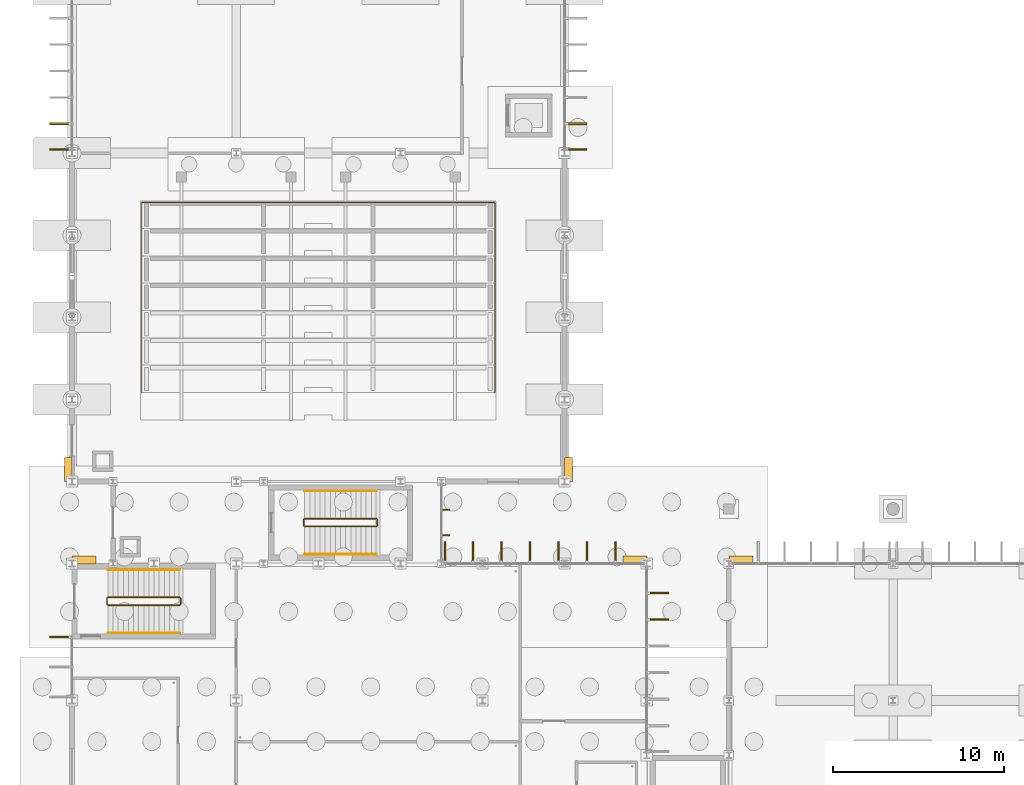
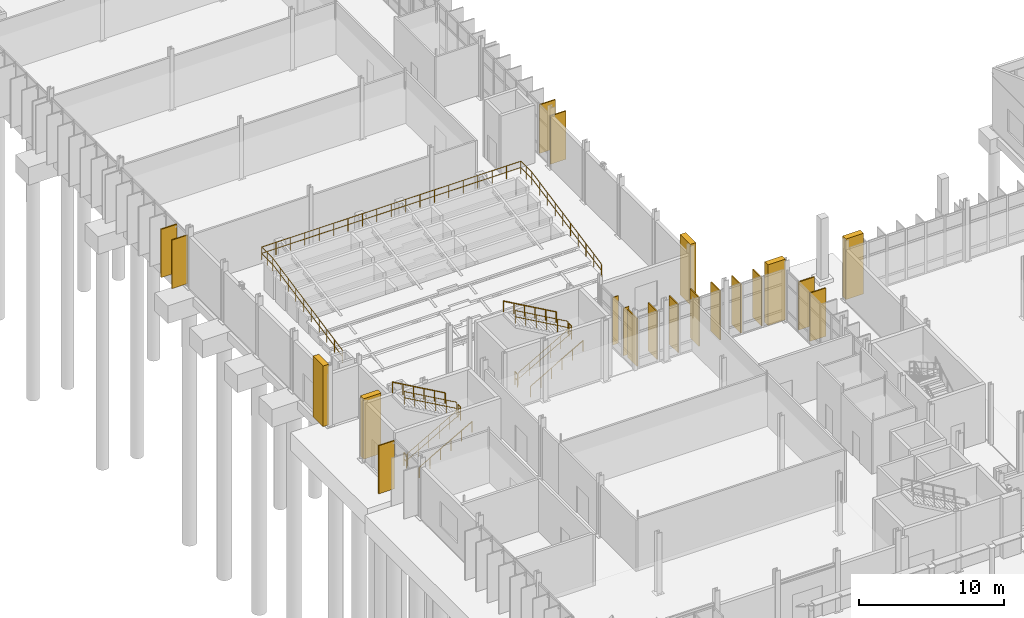
# One storey, part 104 of 111: 19 coverings, 13 railings, 2 shading devices.
"""IFC4 building model written with IfcOpenShell, lengths in metres."""

from ifc_helpers import new_model, si_unit, direction, frame, origin, origin_2d, place, context, subcontext, project, spatial, rectangle, circle, extrude, material, layer, layer_set, type_object, element, save


model = new_model("IFC4")

# Units and contexts
model_context = context("Model", 3, precision=1e-05, world=origin(), true_north=direction((0.0, 1.0)))
body_context = subcontext(model_context, "Body", "Model", "MODEL_VIEW")
ifc_project = project(units=[si_unit("LENGTHUNIT", "METRE"), si_unit("AREAUNIT", "SQUARE_METRE"), si_unit("VOLUMEUNIT", "CUBIC_METRE"), si_unit("PLANEANGLEUNIT", "RADIAN"), si_unit("MASSUNIT", "GRAM", prefix="KILO")], contexts=[model_context])

# Site, building, storey
site_placement = place(None, origin())
site = spatial("IfcSite", under=ifc_project, at=site_placement, CompositionType="ELEMENT")
building_placement = place(site_placement, origin())
building = spatial("IfcBuilding", under=site, at=building_placement, Name="Dunescarp Central Library", CompositionType="ELEMENT")
storey_placement = place(building_placement, origin())
storey = spatial("IfcBuildingStorey", under=building, at=storey_placement, Name="L00", CompositionType="ELEMENT", Elevation=0.0)

# Coverings
ifc_material_1 = material(Name="Glass-fibre reinforced concrete GRC", Category="concrete")
ifc_layer_1 = layer(ifc_material_1, 0.090087890625)
ifc_layer_set_1 = layer_set([ifc_layer_1], Name="Glass-fibre reinforced concrete GRC")
covering_type_1 = type_object("IfcCoveringType", Name="ARC-COV-FIN1250", PredefinedType="CLADDING", material=ifc_layer_set_1)
covering_1_placement = place(storey_placement, frame((21.81494140625, 37.4619140625, 0.1669921875), z_axis=(0.0, 0.0, 1.0), x_axis=(0.0, 1.0, 0.0)))
element("IfcCovering", 1, at=covering_1_placement, inside=storey, type_object=covering_type_1, Name="L00 parametric vertical facade fin FIN-L00-0007", PredefinedType="CLADDING", context=body_context, shape_type="SweptSolid", body=[
    extrude(rectangle(XDim=1.25, YDim=0.090087890625, at=origin_2d()), origin(), (0.0, 0.0, 1.0), 4.05810546875),
])
covering_2_placement = place(storey_placement, frame((23.43896484375, 37.4619140625, 0.179443359375), z_axis=(0.0, 0.0, 1.0), x_axis=(0.0, 1.0, 0.0)))
element("IfcCovering", 2, at=covering_2_placement, inside=storey, type_object=covering_type_1, Name="L00 parametric vertical facade fin FIN-L00-0008", PredefinedType="CLADDING", context=body_context, shape_type="SweptSolid", body=[
    extrude(rectangle(XDim=1.25, YDim=0.090087890625, at=origin_2d()), origin(), (0.0, 0.0, 1.0), 4.044921875),
])
covering_3_placement = place(storey_placement, frame((25.10400390625, 37.4619140625, 0.16357421875), z_axis=(0.0, 0.0, 1.0), x_axis=(0.0, 1.0, 0.0)))
element("IfcCovering", 3, at=covering_3_placement, inside=storey, type_object=covering_type_1, Name="L00 parametric vertical facade fin FIN-L00-0009", PredefinedType="CLADDING", context=body_context, shape_type="SweptSolid", body=[
    extrude(rectangle(XDim=1.25, YDim=0.090087890625, at=origin_2d()), origin(), (0.0, 0.0, 1.0), 4.06103515625),
])
covering_4_placement = place(storey_placement, frame((26.76806640625, 37.4619140625, 0.123046875), z_axis=(0.0, 0.0, 1.0), x_axis=(0.0, 1.0, 0.0)))
element("IfcCovering", 4, at=covering_4_placement, inside=storey, type_object=covering_type_1, Name="L00 parametric vertical facade fin FIN-L00-0010", PredefinedType="CLADDING", context=body_context, shape_type="SweptSolid", body=[
    extrude(rectangle(XDim=1.25, YDim=0.090087890625, at=origin_2d()), origin(), (0.0, 0.0, 1.0), 4.10205078125),
])
covering_5_placement = place(storey_placement, frame((28.431884765625, 37.4619140625, 0.080078125), z_axis=(0.0, 0.0, 1.0), x_axis=(0.0, 1.0, 0.0)))
element("IfcCovering", 5, at=covering_5_placement, inside=storey, type_object=covering_type_1, Name="L00 parametric vertical facade fin FIN-L00-0011", PredefinedType="CLADDING", context=body_context, shape_type="SweptSolid", body=[
    extrude(rectangle(XDim=1.25, YDim=0.090087890625, at=origin_2d()), origin(), (0.0, 0.0, 1.0), 4.134033203125),
])
covering_6_placement = place(storey_placement, frame((30.095947265625, 37.4619140625, 0.080078125), z_axis=(0.0, 0.0, 1.0), x_axis=(0.0, 1.0, 0.0)))
element("IfcCovering", 6, at=covering_6_placement, inside=storey, type_object=covering_type_1, Name="L00 parametric vertical facade fin FIN-L00-0012", PredefinedType="CLADDING", context=body_context, shape_type="SweptSolid", body=[
    extrude(rectangle(XDim=1.25, YDim=0.090087890625, at=origin_2d()), origin(), (0.0, 0.0, 1.0), 4.083984375),
])
covering_7_placement = place(storey_placement, frame((31.760986328125, 37.4619140625, 0.08056640625), z_axis=(0.0, 0.0, 1.0), x_axis=(0.0, 1.0, 0.0)))
element("IfcCovering", 7, at=covering_7_placement, inside=storey, type_object=covering_type_1, Name="L00 parametric vertical facade fin FIN-L00-0013", PredefinedType="CLADDING", context=body_context, shape_type="SweptSolid", body=[
    extrude(rectangle(XDim=1.25, YDim=0.090087890625, at=origin_2d()), origin(), (0.0, 0.0, 1.0), 4.051025390625),
])
covering_8_placement = place(storey_placement, frame((-0.662109375, 32.510009765625, 0.16357421875), z_axis=(0.0, 0.0, 1.0), x_axis=(-1.0, 0.0, 0.0)))
element("IfcCovering", 8, at=covering_8_placement, inside=storey, type_object=covering_type_1, Name="L00 parametric vertical facade fin FIN-L00-0026", PredefinedType="CLADDING", context=body_context, shape_type="SweptSolid", body=[
    extrude(rectangle(XDim=1.25, YDim=0.090087890625, at=origin_2d()), origin(), (0.0, 0.0, 1.0), 4.06103515625),
])
covering_9_placement = place(storey_placement, frame((34.261962890625, 35.074951171875, 0.179443359375), z_axis=(0.0, 0.0, 1.0), x_axis=(1.0, 0.0, 0.0)))
element("IfcCovering", 9, at=covering_9_placement, inside=storey, type_object=covering_type_1, Name="L00 parametric vertical facade fin FIN-L00-0027", PredefinedType="CLADDING", context=body_context, shape_type="SweptSolid", body=[
    extrude(rectangle(XDim=1.25, YDim=0.090087890625, at=origin_2d()), origin(), (0.0, 0.0, 1.0), 4.044921875),
])
covering_10_placement = place(storey_placement, frame((34.261962890625, 33.52490234375, 0.16357421875), z_axis=(0.0, 0.0, 1.0), x_axis=(1.0, 0.0, 0.0)))
element("IfcCovering", 10, at=covering_10_placement, inside=storey, type_object=covering_type_1, Name="L00 parametric vertical facade fin FIN-L00-0028", PredefinedType="CLADDING", context=body_context, shape_type="SweptSolid", body=[
    extrude(rectangle(XDim=1.25, YDim=0.090087890625, at=origin_2d()), origin(), (0.0, 0.0, 1.0), 4.06103515625),
])
covering_11_placement = place(storey_placement, frame((-0.662109375, 61.014892578125, 0.16650390625), z_axis=(0.0, 0.0, 1.0), x_axis=(-1.0, 0.0, 0.0)))
element("IfcCovering", 11, at=covering_11_placement, inside=storey, type_object=covering_type_1, Name="L00 parametric vertical facade fin FIN-L00-0743", PredefinedType="CLADDING", context=body_context, shape_type="SweptSolid", body=[
    extrude(rectangle(XDim=1.25, YDim=0.090087890625, at=origin_2d()), origin(), (0.0, 0.0, 1.0), 4.074951171875),
])
covering_12_placement = place(storey_placement, frame((-0.662109375, 62.51708984375, 0.179931640625), z_axis=(0.0, 0.0, 1.0), x_axis=(-1.0, 0.0, 0.0)))
element("IfcCovering", 12, at=covering_12_placement, inside=storey, type_object=covering_type_1, Name="L00 parametric vertical facade fin FIN-L00-0744", PredefinedType="CLADDING", context=body_context, shape_type="SweptSolid", body=[
    extrude(rectangle(XDim=1.25, YDim=0.090087890625, at=origin_2d()), origin(), (0.0, 0.0, 1.0), 4.06201171875),
])
covering_13_placement = place(storey_placement, frame((29.4619140625, 62.51708984375, 0.08056640625), z_axis=(0.0, 0.0, 1.0), x_axis=(1.0, 0.0, 0.0)))
element("IfcCovering", 13, at=covering_13_placement, inside=storey, type_object=covering_type_1, Name="L00 parametric vertical facade fin FIN-L00-0755", PredefinedType="CLADDING", context=body_context, shape_type="SweptSolid", body=[
    extrude(rectangle(XDim=1.25, YDim=0.090087890625, at=origin_2d()), origin(), (0.0, 0.0, 1.0), 4.10107421875),
])
covering_14_placement = place(storey_placement, frame((29.4619140625, 61.014892578125, 0.080078125), z_axis=(0.0, 0.0, 1.0), x_axis=(1.0, 0.0, 0.0)))
element("IfcCovering", 14, at=covering_14_placement, inside=storey, type_object=covering_type_1, Name="L00 parametric vertical facade fin FIN-L00-0756", PredefinedType="CLADDING", context=body_context, shape_type="SweptSolid", body=[
    extrude(rectangle(XDim=1.25, YDim=0.090087890625, at=origin_2d()), origin(), (0.0, 0.0, 1.0), 4.068115234375),
])
ifc_layer_2 = layer(ifc_material_1, 0.449951171875)
ifc_layer_set_2 = layer_set([ifc_layer_2], Name="Glass-fibre reinforced concrete GRC")
covering_type_2 = type_object("IfcCoveringType", Name="ARC-COV-PORTAL", PredefinedType="CLADDING", material=ifc_layer_set_2)
covering_15_placement = place(storey_placement, frame((39.10009765625, 37.02001953125, 0.0), z_axis=(0.0, 0.0, 1.0), x_axis=(1.0, 0.0, 0.0)))
element("IfcCovering", 15, at=covering_15_placement, inside=storey, type_object=covering_type_2, Name="V2 sculpted GRC portal pier PRT-BAND-V2-002", PredefinedType="CLADDING", context=body_context, shape_type="SweptSolid", body=[
    extrude(rectangle(XDim=1.39990234375, YDim=0.449951171875, at=origin_2d()), origin(), (0.0, 0.0, 1.0), 5.10009765625),
])
for number, where, z_axis, x_axis, name in (
    (16, (-0.219970703125, 42.300048828125, 0.0), (0.0, 0.0, 1.0), (1.0, 0.0, 0.0), "V4 sculpted GRC portal pier PRT-BAND-V4-063"),
    (17, (29.02001953125, 42.300048828125, 0.0), (0.0, 0.0, 1.0), (1.0, 0.0, 0.0), "V4 sculpted GRC portal pier PRT-BAND-V4-064"),
):
    element("IfcCovering", number, at=place(storey_placement, frame(where, z_axis=z_axis, x_axis=x_axis)), inside=storey, type_object=covering_type_2, Name=name, PredefinedType="CLADDING", context=body_context, shape_type="SweptSolid", body=[
        extrude(rectangle(XDim=0.449951171875, YDim=1.39990234375, at=origin_2d()), origin(), (0.0, 0.0, 1.0), 5.10009765625),
    ])
for number, where, z_axis, x_axis, name in (
    (18, (0.699951171875, 37.02001953125, 0.0), (0.0, 0.0, 1.0), (1.0, 0.0, 0.0), "V1 sculpted GRC portal pier PRT-BAND-V1-082"),
    (19, (32.89990234375, 37.02001953125, 0.0), (0.0, 0.0, 1.0), (1.0, 0.0, 0.0), "V1 sculpted GRC portal pier PRT-BAND-V1-084"),
):
    element("IfcCovering", number, at=place(storey_placement, frame(where, z_axis=z_axis, x_axis=x_axis)), inside=storey, type_object=covering_type_2, Name=name, PredefinedType="CLADDING", context=body_context, shape_type="SweptSolid", body=[
        extrude(rectangle(XDim=1.39990234375, YDim=0.449951171875, at=origin_2d()), origin(), (0.0, 0.0, 1.0), 5.10009765625),
    ])

# Railings
ifc_material_2 = material(Name="Stainless steel Grade 316L", Category="steel")
railing_type_1 = type_object("IfcRailingType", Name="ARC-RL-GUARD", PredefinedType="GUARDRAIL", material=ifc_material_2)
railing_1_placement = place(storey_placement, frame((2.10009765625, 34.3701171875, 0.169921875)))
element("IfcRailing", 20, at=railing_1_placement, inside=storey, type_object=railing_type_1, Name="L00 ST-6 stair guard 1", PredefinedType="GUARDRAIL", context=body_context, shape_type="SweptSolid", body=[
    extrude(circle(Radius=0.02392578125, at=origin_2d()), frame((0.0, 0.0, 1.076171875), z_axis=(0.870008446991, 0.0, 0.493036816236), x_axis=(0.0, 1.0, 0.0)), (0.0, 0.0, 1.0), 4.827392578125),
    extrude(circle(Radius=0.02392578125, at=origin_2d()), frame((0.0, 0.0, 0.550048828125), z_axis=(0.870008446991, 0.0, 0.493036816236), x_axis=(0.0, 1.0, 0.0)), (0.0, 0.0, 1.0), 4.827392578125),
    extrude(circle(Radius=0.02099609375, at=origin_2d()), origin(), (0.0, 0.0, 1.0), 1.052001953125),
    extrude(circle(Radius=0.02099609375, at=origin_2d()), frame((0.840087890625, 0.0, 0.47607421875)), (0.0, 0.0, 1.0), 1.052001953125),
    extrude(circle(Radius=0.02099609375, at=origin_2d()), frame((1.679931640625, 0.0, 0.9521484375)), (0.0, 0.0, 1.0), 1.052001953125),
    extrude(circle(Radius=0.02099609375, at=origin_2d()), frame((2.52001953125, 0.0, 1.427978515625)), (0.0, 0.0, 1.0), 1.052001953125),
    extrude(circle(Radius=0.02099609375, at=origin_2d()), frame((3.35986328125, 0.0, 1.904052734375)), (0.0, 0.0, 1.0), 1.052001953125),
    extrude(circle(Radius=0.02099609375, at=origin_2d()), frame((4.199951171875, 0.0, 2.380126953125)), (0.0, 0.0, 1.0), 1.052001953125),
])
railing_2_placement = place(storey_placement, frame((6.35009765625, 34.419921875, 2.550048828125)))
element("IfcRailing", 21, at=railing_2_placement, inside=storey, type_object=railing_type_1, Name="L00 ST-6 stair guard 2", PredefinedType="GUARDRAIL", context=body_context, shape_type="SweptSolid", body=[
    extrude(circle(Radius=0.02392578125, at=origin_2d()), frame((0.0, 0.0, 1.076171875), z_axis=(0.0, 1.0, 0.0), x_axis=(-1.0, 0.0, 0.0)), (0.0, 0.0, 1.0), 0.360107421875),
    extrude(circle(Radius=0.02392578125, at=origin_2d()), frame((0.0, 0.0, 0.550048828125), z_axis=(0.0, 1.0, 0.0), x_axis=(-1.0, 0.0, 0.0)), (0.0, 0.0, 1.0), 0.360107421875),
    extrude(circle(Radius=0.02099609375, at=origin_2d()), origin(), (0.0, 0.0, 1.0), 1.052001953125),
    extrude(circle(Radius=0.02099609375, at=origin_2d()), frame((0.0, 0.360107421875, 0.0)), (0.0, 0.0, 1.0), 1.052001953125),
])
railing_3_placement = place(storey_placement, frame((6.300048828125, 34.830078125, 2.719970703125)))
element("IfcRailing", 22, at=railing_3_placement, inside=storey, type_object=railing_type_1, Name="L00 ST-6 stair guard 3", PredefinedType="GUARDRAIL", context=body_context, shape_type="SweptSolid", body=[
    extrude(circle(Radius=0.02392578125, at=origin_2d()), frame((0.0, 0.0, 1.076171875), z_axis=(-0.870008446991, 0.0, 0.493036816236), x_axis=(0.0, -1.0, 0.0)), (0.0, 0.0, 1.0), 4.827392578125),
    extrude(circle(Radius=0.02392578125, at=origin_2d()), frame((0.0, 0.0, 0.550048828125), z_axis=(-0.870008446991, 0.0, 0.493036816236), x_axis=(0.0, -1.0, 0.0)), (0.0, 0.0, 1.0), 4.827392578125),
    extrude(circle(Radius=0.02099609375, at=origin_2d()), origin(), (0.0, 0.0, 1.0), 1.052001953125),
    extrude(circle(Radius=0.02099609375, at=origin_2d()), frame((-0.840087890625, 0.0, 0.47607421875)), (0.0, 0.0, 1.0), 1.052001953125),
    extrude(circle(Radius=0.02099609375, at=origin_2d()), frame((-1.679931640625, 0.0, 0.9521484375)), (0.0, 0.0, 1.0), 1.052001953125),
    extrude(circle(Radius=0.02099609375, at=origin_2d()), frame((-2.52001953125, 0.0, 1.427978515625)), (0.0, 0.0, 1.0), 1.052001953125),
    extrude(circle(Radius=0.02099609375, at=origin_2d()), frame((-3.35986328125, 0.0, 1.904052734375)), (0.0, 0.0, 1.0), 1.052001953125),
    extrude(circle(Radius=0.02099609375, at=origin_2d()), frame((-4.199951171875, 0.0, 2.380126953125)), (0.0, 0.0, 1.0), 1.052001953125),
])
railing_4_placement = place(storey_placement, frame((2.050048828125, 34.419921875, 0.0)))
element("IfcRailing", 23, at=railing_4_placement, inside=storey, type_object=railing_type_1, Name="L00 ST-6 stair guard 4", PredefinedType="GUARDRAIL", context=body_context, shape_type="SweptSolid", body=[
    extrude(circle(Radius=0.02392578125, at=origin_2d()), frame((0.0, 0.0, 1.076171875), z_axis=(0.0, 1.0, 0.0), x_axis=(-1.0, 0.0, 0.0)), (0.0, 0.0, 1.0), 0.360107421875),
    extrude(circle(Radius=0.02392578125, at=origin_2d()), frame((0.0, 0.0, 0.550048828125), z_axis=(0.0, 1.0, 0.0), x_axis=(-1.0, 0.0, 0.0)), (0.0, 0.0, 1.0), 0.360107421875),
    extrude(circle(Radius=0.02099609375, at=origin_2d()), origin(), (0.0, 0.0, 1.0), 1.052001953125),
    extrude(circle(Radius=0.02099609375, at=origin_2d()), frame((0.0, 0.360107421875, 0.0)), (0.0, 0.0, 1.0), 1.052001953125),
])
railing_5_placement = place(storey_placement, frame((13.60009765625, 38.969970703125, 0.169921875)))
element("IfcRailing", 24, at=railing_5_placement, inside=storey, type_object=railing_type_1, Name="L00 ST-4 stair guard 1", PredefinedType="GUARDRAIL", context=body_context, shape_type="SweptSolid", body=[
    extrude(circle(Radius=0.02392578125, at=origin_2d()), frame((0.0, 0.0, 1.076171875), z_axis=(0.870008446991, 0.0, 0.493036816236), x_axis=(0.0, 1.0, 0.0)), (0.0, 0.0, 1.0), 4.827392578125),
    extrude(circle(Radius=0.02392578125, at=origin_2d()), frame((0.0, 0.0, 0.550048828125), z_axis=(0.870008446991, 0.0, 0.493036816236), x_axis=(0.0, 1.0, 0.0)), (0.0, 0.0, 1.0), 4.827392578125),
    extrude(circle(Radius=0.02099609375, at=origin_2d()), origin(), (0.0, 0.0, 1.0), 1.052001953125),
    extrude(circle(Radius=0.02099609375, at=origin_2d()), frame((0.840087890625, 0.0, 0.47607421875)), (0.0, 0.0, 1.0), 1.052001953125),
    extrude(circle(Radius=0.02099609375, at=origin_2d()), frame((1.679931640625, 0.0, 0.9521484375)), (0.0, 0.0, 1.0), 1.052001953125),
    extrude(circle(Radius=0.02099609375, at=origin_2d()), frame((2.52001953125, 0.0, 1.427978515625)), (0.0, 0.0, 1.0), 1.052001953125),
    extrude(circle(Radius=0.02099609375, at=origin_2d()), frame((3.35986328125, 0.0, 1.904052734375)), (0.0, 0.0, 1.0), 1.052001953125),
    extrude(circle(Radius=0.02099609375, at=origin_2d()), frame((4.199951171875, 0.0, 2.380126953125)), (0.0, 0.0, 1.0), 1.052001953125),
])
railing_6_placement = place(storey_placement, frame((17.85009765625, 39.02001953125, 2.550048828125)))
element("IfcRailing", 25, at=railing_6_placement, inside=storey, type_object=railing_type_1, Name="L00 ST-4 stair guard 2", PredefinedType="GUARDRAIL", context=body_context, shape_type="SweptSolid", body=[
    extrude(circle(Radius=0.02392578125, at=origin_2d()), frame((0.0, 0.0, 1.076171875), z_axis=(0.0, 1.0, 0.0), x_axis=(-1.0, 0.0, 0.0)), (0.0, 0.0, 1.0), 0.35986328125),
    extrude(circle(Radius=0.02392578125, at=origin_2d()), frame((0.0, 0.0, 0.550048828125), z_axis=(0.0, 1.0, 0.0), x_axis=(-1.0, 0.0, 0.0)), (0.0, 0.0, 1.0), 0.35986328125),
    extrude(circle(Radius=0.02099609375, at=origin_2d()), origin(), (0.0, 0.0, 1.0), 1.052001953125),
    extrude(circle(Radius=0.02099609375, at=origin_2d()), frame((0.0, 0.35986328125, 0.0)), (0.0, 0.0, 1.0), 1.052001953125),
])
railing_7_placement = place(storey_placement, frame((17.800048828125, 39.429931640625, 2.719970703125)))
element("IfcRailing", 26, at=railing_7_placement, inside=storey, type_object=railing_type_1, Name="L00 ST-4 stair guard 3", PredefinedType="GUARDRAIL", context=body_context, shape_type="SweptSolid", body=[
    extrude(circle(Radius=0.02392578125, at=origin_2d()), frame((0.0, 0.0, 1.076171875), z_axis=(-0.870008446991, 0.0, 0.493036816236), x_axis=(0.0, -1.0, 0.0)), (0.0, 0.0, 1.0), 4.827392578125),
    extrude(circle(Radius=0.02392578125, at=origin_2d()), frame((0.0, 0.0, 0.550048828125), z_axis=(-0.870008446991, 0.0, 0.493036816236), x_axis=(0.0, -1.0, 0.0)), (0.0, 0.0, 1.0), 4.827392578125),
    extrude(circle(Radius=0.02099609375, at=origin_2d()), origin(), (0.0, 0.0, 1.0), 1.052001953125),
    extrude(circle(Radius=0.02099609375, at=origin_2d()), frame((-0.840087890625, 0.0, 0.47607421875)), (0.0, 0.0, 1.0), 1.052001953125),
    extrude(circle(Radius=0.02099609375, at=origin_2d()), frame((-1.679931640625, 0.0, 0.9521484375)), (0.0, 0.0, 1.0), 1.052001953125),
    extrude(circle(Radius=0.02099609375, at=origin_2d()), frame((-2.52001953125, 0.0, 1.427978515625)), (0.0, 0.0, 1.0), 1.052001953125),
    extrude(circle(Radius=0.02099609375, at=origin_2d()), frame((-3.35986328125, 0.0, 1.904052734375)), (0.0, 0.0, 1.0), 1.052001953125),
    extrude(circle(Radius=0.02099609375, at=origin_2d()), frame((-4.199951171875, 0.0, 2.380126953125)), (0.0, 0.0, 1.0), 1.052001953125),
])
railing_8_placement = place(storey_placement, frame((13.550048828125, 39.02001953125, 0.0)))
element("IfcRailing", 27, at=railing_8_placement, inside=storey, type_object=railing_type_1, Name="L00 ST-4 stair guard 4", PredefinedType="GUARDRAIL", context=body_context, shape_type="SweptSolid", body=[
    extrude(circle(Radius=0.02392578125, at=origin_2d()), frame((0.0, 0.0, 1.076171875), z_axis=(0.0, 1.0, 0.0), x_axis=(-1.0, 0.0, 0.0)), (0.0, 0.0, 1.0), 0.35986328125),
    extrude(circle(Radius=0.02392578125, at=origin_2d()), frame((0.0, 0.0, 0.550048828125), z_axis=(0.0, 1.0, 0.0), x_axis=(-1.0, 0.0, 0.0)), (0.0, 0.0, 1.0), 0.35986328125),
    extrude(circle(Radius=0.02099609375, at=origin_2d()), origin(), (0.0, 0.0, 1.0), 1.052001953125),
    extrude(circle(Radius=0.02099609375, at=origin_2d()), frame((0.0, 0.35986328125, 0.0)), (0.0, 0.0, 1.0), 1.052001953125),
])
railing_9_placement = place(storey_placement, frame((4.080078125, 46.800048828125, 0.639892578125)))
element("IfcRailing", 28, at=railing_9_placement, inside=storey, type_object=railing_type_1, Name="L00 auditorium seating bowl guardrail", PredefinedType="GUARDRAIL", context=body_context, shape_type="SweptSolid", body=[
    extrude(circle(Radius=0.02392578125, at=origin_2d()), frame((0.0, 0.0, 1.076171875), z_axis=(0.0, 0.980576838928, 0.196135317977), x_axis=(-1.0, 0.0, 0.0)), (0.0, 0.0, 1.0), 9.7900390625),
    extrude(circle(Radius=0.02392578125, at=origin_2d()), frame((0.0, 0.0, 0.550048828125), z_axis=(0.0, 0.980576838928, 0.196135317977), x_axis=(-1.0, 0.0, 0.0)), (0.0, 0.0, 1.0), 9.7900390625),
    extrude(circle(Radius=0.02392578125, at=origin_2d()), frame((0.0, 9.599853515625, 2.99609375), z_axis=(0.0, 1.0, 0.0), x_axis=(-1.0, 0.0, 0.0)), (0.0, 0.0, 1.0), 1.52001953125),
    extrude(circle(Radius=0.02392578125, at=origin_2d()), frame((0.0, 9.599853515625, 2.47021484375), z_axis=(0.0, 1.0, 0.0), x_axis=(-1.0, 0.0, 0.0)), (0.0, 0.0, 1.0), 1.52001953125),
    extrude(circle(Radius=0.02392578125, at=origin_2d()), frame((0.0, 11.119873046875, 2.99609375), z_axis=(1.0, 0.0, 0.0), x_axis=(0.0, 1.0, 0.0)), (0.0, 0.0, 1.0), 20.639892578125),
    extrude(circle(Radius=0.02392578125, at=origin_2d()), frame((0.0, 11.119873046875, 2.47021484375), z_axis=(1.0, 0.0, 0.0), x_axis=(0.0, 1.0, 0.0)), (0.0, 0.0, 1.0), 20.639892578125),
    extrude(circle(Radius=0.02392578125, at=origin_2d()), frame((20.639892578125, 11.119873046875, 2.99609375), z_axis=(0.0, -1.0, 0.0), x_axis=(1.0, 0.0, 0.0)), (0.0, 0.0, 1.0), 1.52001953125),
    extrude(circle(Radius=0.02392578125, at=origin_2d()), frame((20.639892578125, 11.119873046875, 2.47021484375), z_axis=(0.0, -1.0, 0.0), x_axis=(1.0, 0.0, 0.0)), (0.0, 0.0, 1.0), 1.52001953125),
    extrude(circle(Radius=0.02392578125, at=origin_2d()), frame((20.639892578125, 9.599853515625, 2.99609375), z_axis=(0.0, -0.980576838928, -0.196135317977), x_axis=(1.0, 0.0, 0.0)), (0.0, 0.0, 1.0), 9.7900390625),
    extrude(circle(Radius=0.02392578125, at=origin_2d()), frame((20.639892578125, 9.599853515625, 2.47021484375), z_axis=(0.0, -0.980576838928, -0.196135317977), x_axis=(1.0, 0.0, 0.0)), (0.0, 0.0, 1.0), 9.7900390625),
    extrude(circle(Radius=0.02099609375, at=origin_2d()), origin(), (0.0, 0.0, 1.0), 1.052001953125),
    extrude(circle(Radius=0.02099609375, at=origin_2d()), frame((0.0, 1.066650390625, 0.21337890625)), (0.0, 0.0, 1.0), 1.052001953125),
    extrude(circle(Radius=0.02099609375, at=origin_2d()), frame((0.0, 2.13330078125, 0.4267578125)), (0.0, 0.0, 1.0), 1.052001953125),
    extrude(circle(Radius=0.02099609375, at=origin_2d()), frame((0.0, 3.199951171875, 0.64013671875)), (0.0, 0.0, 1.0), 1.052001953125),
    extrude(circle(Radius=0.02099609375, at=origin_2d()), frame((0.0, 4.2666015625, 0.853515625)), (0.0, 0.0, 1.0), 1.052001953125),
    extrude(circle(Radius=0.02099609375, at=origin_2d()), frame((0.0, 5.333251953125, 1.066650390625)), (0.0, 0.0, 1.0), 1.052001953125),
    extrude(circle(Radius=0.02099609375, at=origin_2d()), frame((0.0, 6.39990234375, 1.280029296875)), (0.0, 0.0, 1.0), 1.052001953125),
    extrude(circle(Radius=0.02099609375, at=origin_2d()), frame((0.0, 7.466552734375, 1.493408203125)), (0.0, 0.0, 1.0), 1.052001953125),
    extrude(circle(Radius=0.02099609375, at=origin_2d()), frame((0.0, 8.533203125, 1.706787109375)), (0.0, 0.0, 1.0), 1.052001953125),
    extrude(circle(Radius=0.02099609375, at=origin_2d()), frame((0.0, 9.599853515625, 1.920166015625)), (0.0, 0.0, 1.0), 1.052001953125),
    extrude(circle(Radius=0.02099609375, at=origin_2d()), frame((0.0, 10.35986328125, 1.920166015625)), (0.0, 0.0, 1.0), 1.052001953125),
    extrude(circle(Radius=0.02099609375, at=origin_2d()), frame((0.0, 11.119873046875, 1.920166015625)), (0.0, 0.0, 1.0), 1.052001953125),
    extrude(circle(Radius=0.02099609375, at=origin_2d()), frame((1.146728515625, 11.119873046875, 1.920166015625)), (0.0, 0.0, 1.0), 1.052001953125),
    extrude(circle(Radius=0.02099609375, at=origin_2d()), frame((2.293212890625, 11.119873046875, 1.920166015625)), (0.0, 0.0, 1.0), 1.052001953125),
    extrude(circle(Radius=0.02099609375, at=origin_2d()), frame((3.43994140625, 11.119873046875, 1.920166015625)), (0.0, 0.0, 1.0), 1.052001953125),
    extrude(circle(Radius=0.02099609375, at=origin_2d()), frame((4.586669921875, 11.119873046875, 1.920166015625)), (0.0, 0.0, 1.0), 1.052001953125),
    extrude(circle(Radius=0.02099609375, at=origin_2d()), frame((5.7333984375, 11.119873046875, 1.920166015625)), (0.0, 0.0, 1.0), 1.052001953125),
    extrude(circle(Radius=0.02099609375, at=origin_2d()), frame((6.8798828125, 11.119873046875, 1.920166015625)), (0.0, 0.0, 1.0), 1.052001953125),
    extrude(circle(Radius=0.02099609375, at=origin_2d()), frame((8.026611328125, 11.119873046875, 1.920166015625)), (0.0, 0.0, 1.0), 1.052001953125),
    extrude(circle(Radius=0.02099609375, at=origin_2d()), frame((9.17333984375, 11.119873046875, 1.920166015625)), (0.0, 0.0, 1.0), 1.052001953125),
    extrude(circle(Radius=0.02099609375, at=origin_2d()), frame((10.31982421875, 11.119873046875, 1.920166015625)), (0.0, 0.0, 1.0), 1.052001953125),
    extrude(circle(Radius=0.02099609375, at=origin_2d()), frame((11.466552734375, 11.119873046875, 1.920166015625)), (0.0, 0.0, 1.0), 1.052001953125),
    extrude(circle(Radius=0.02099609375, at=origin_2d()), frame((12.61328125, 11.119873046875, 1.920166015625)), (0.0, 0.0, 1.0), 1.052001953125),
    extrude(circle(Radius=0.02099609375, at=origin_2d()), frame((13.760009765625, 11.119873046875, 1.920166015625)), (0.0, 0.0, 1.0), 1.052001953125),
    extrude(circle(Radius=0.02099609375, at=origin_2d()), frame((14.906494140625, 11.119873046875, 1.920166015625)), (0.0, 0.0, 1.0), 1.052001953125),
    extrude(circle(Radius=0.02099609375, at=origin_2d()), frame((16.05322265625, 11.119873046875, 1.920166015625)), (0.0, 0.0, 1.0), 1.052001953125),
    extrude(circle(Radius=0.02099609375, at=origin_2d()), frame((17.199951171875, 11.119873046875, 1.920166015625)), (0.0, 0.0, 1.0), 1.052001953125),
    extrude(circle(Radius=0.02099609375, at=origin_2d()), frame((18.3466796875, 11.119873046875, 1.920166015625)), (0.0, 0.0, 1.0), 1.052001953125),
    extrude(circle(Radius=0.02099609375, at=origin_2d()), frame((19.4931640625, 11.119873046875, 1.920166015625)), (0.0, 0.0, 1.0), 1.052001953125),
    extrude(circle(Radius=0.02099609375, at=origin_2d()), frame((20.639892578125, 11.119873046875, 1.920166015625)), (0.0, 0.0, 1.0), 1.052001953125),
    extrude(circle(Radius=0.02099609375, at=origin_2d()), frame((20.639892578125, 10.35986328125, 1.920166015625)), (0.0, 0.0, 1.0), 1.052001953125),
    extrude(circle(Radius=0.02099609375, at=origin_2d()), frame((20.639892578125, 9.599853515625, 1.920166015625)), (0.0, 0.0, 1.0), 1.052001953125),
    extrude(circle(Radius=0.02099609375, at=origin_2d()), frame((20.639892578125, 8.533203125, 1.706787109375)), (0.0, 0.0, 1.0), 1.052001953125),
    extrude(circle(Radius=0.02099609375, at=origin_2d()), frame((20.639892578125, 7.466552734375, 1.493408203125)), (0.0, 0.0, 1.0), 1.052001953125),
    extrude(circle(Radius=0.02099609375, at=origin_2d()), frame((20.639892578125, 6.39990234375, 1.280029296875)), (0.0, 0.0, 1.0), 1.052001953125),
    extrude(circle(Radius=0.02099609375, at=origin_2d()), frame((20.639892578125, 5.333251953125, 1.066650390625)), (0.0, 0.0, 1.0), 1.052001953125),
    extrude(circle(Radius=0.02099609375, at=origin_2d()), frame((20.639892578125, 4.2666015625, 0.853515625)), (0.0, 0.0, 1.0), 1.052001953125),
    extrude(circle(Radius=0.02099609375, at=origin_2d()), frame((20.639892578125, 3.199951171875, 0.64013671875)), (0.0, 0.0, 1.0), 1.052001953125),
    extrude(circle(Radius=0.02099609375, at=origin_2d()), frame((20.639892578125, 2.13330078125, 0.4267578125)), (0.0, 0.0, 1.0), 1.052001953125),
    extrude(circle(Radius=0.02099609375, at=origin_2d()), frame((20.639892578125, 1.066650390625, 0.21337890625)), (0.0, 0.0, 1.0), 1.052001953125),
    extrude(circle(Radius=0.02099609375, at=origin_2d()), frame((20.639892578125, 0.0, 0.0)), (0.0, 0.0, 1.0), 1.052001953125),
])
railing_type_2 = type_object("IfcRailingType", Name="ARC-RL-HAND", PredefinedType="HANDRAIL", material=ifc_material_2)
railing_10_placement = place(storey_placement, frame((2.10009765625, 32.75, 0.169921875)))
element("IfcRailing", 29, at=railing_10_placement, inside=storey, type_object=railing_type_2, Name="L00 ST-6 stair handrail 1", PredefinedType="HANDRAIL", context=body_context, shape_type="SweptSolid", body=[
    extrude(circle(Radius=0.02392578125, at=origin_2d()), frame((0.0, 0.0, 0.8857421875), z_axis=(0.870008446991, 0.0, 0.493036816236), x_axis=(0.0, 1.0, 0.0)), (0.0, 0.0, 1.0), 4.827392578125),
    extrude(circle(Radius=0.02099609375, at=origin_2d()), origin(), (0.0, 0.0, 1.0), 0.86181640625),
    extrude(circle(Radius=0.02099609375, at=origin_2d()), frame((0.840087890625, 0.0, 0.47607421875)), (0.0, 0.0, 1.0), 0.86181640625),
    extrude(circle(Radius=0.02099609375, at=origin_2d()), frame((1.679931640625, 0.0, 0.9521484375)), (0.0, 0.0, 1.0), 0.86181640625),
    extrude(circle(Radius=0.02099609375, at=origin_2d()), frame((2.52001953125, 0.0, 1.427978515625)), (0.0, 0.0, 1.0), 0.86181640625),
    extrude(circle(Radius=0.02099609375, at=origin_2d()), frame((3.35986328125, 0.0, 1.904052734375)), (0.0, 0.0, 1.0), 0.86181640625),
    extrude(circle(Radius=0.02099609375, at=origin_2d()), frame((4.199951171875, 0.0, 2.380126953125)), (0.0, 0.0, 1.0), 0.86181640625),
])
railing_11_placement = place(storey_placement, frame((6.300048828125, 36.449951171875, 2.719970703125)))
element("IfcRailing", 30, at=railing_11_placement, inside=storey, type_object=railing_type_2, Name="L00 ST-6 stair handrail 2", PredefinedType="HANDRAIL", context=body_context, shape_type="SweptSolid", body=[
    extrude(circle(Radius=0.02392578125, at=origin_2d()), frame((0.0, 0.0, 0.8857421875), z_axis=(-0.870008446991, 0.0, 0.493036816236), x_axis=(0.0, -1.0, 0.0)), (0.0, 0.0, 1.0), 4.827392578125),
    extrude(circle(Radius=0.02099609375, at=origin_2d()), origin(), (0.0, 0.0, 1.0), 0.86181640625),
    extrude(circle(Radius=0.02099609375, at=origin_2d()), frame((-0.840087890625, 0.0, 0.47607421875)), (0.0, 0.0, 1.0), 0.86181640625),
    extrude(circle(Radius=0.02099609375, at=origin_2d()), frame((-1.679931640625, 0.0, 0.9521484375)), (0.0, 0.0, 1.0), 0.86181640625),
    extrude(circle(Radius=0.02099609375, at=origin_2d()), frame((-2.52001953125, 0.0, 1.427978515625)), (0.0, 0.0, 1.0), 0.86181640625),
    extrude(circle(Radius=0.02099609375, at=origin_2d()), frame((-3.35986328125, 0.0, 1.904052734375)), (0.0, 0.0, 1.0), 0.86181640625),
    extrude(circle(Radius=0.02099609375, at=origin_2d()), frame((-4.199951171875, 0.0, 2.380126953125)), (0.0, 0.0, 1.0), 0.86181640625),
])
railing_12_placement = place(storey_placement, frame((13.60009765625, 37.35009765625, 0.169921875)))
element("IfcRailing", 31, at=railing_12_placement, inside=storey, type_object=railing_type_2, Name="L00 ST-4 stair handrail 1", PredefinedType="HANDRAIL", context=body_context, shape_type="SweptSolid", body=[
    extrude(circle(Radius=0.02392578125, at=origin_2d()), frame((0.0, 0.0, 0.8857421875), z_axis=(0.870008446991, 0.0, 0.493036816236), x_axis=(0.0, 1.0, 0.0)), (0.0, 0.0, 1.0), 4.827392578125),
    extrude(circle(Radius=0.02099609375, at=origin_2d()), origin(), (0.0, 0.0, 1.0), 0.86181640625),
    extrude(circle(Radius=0.02099609375, at=origin_2d()), frame((0.840087890625, 0.0, 0.47607421875)), (0.0, 0.0, 1.0), 0.86181640625),
    extrude(circle(Radius=0.02099609375, at=origin_2d()), frame((1.679931640625, 0.0, 0.9521484375)), (0.0, 0.0, 1.0), 0.86181640625),
    extrude(circle(Radius=0.02099609375, at=origin_2d()), frame((2.52001953125, 0.0, 1.427978515625)), (0.0, 0.0, 1.0), 0.86181640625),
    extrude(circle(Radius=0.02099609375, at=origin_2d()), frame((3.35986328125, 0.0, 1.904052734375)), (0.0, 0.0, 1.0), 0.86181640625),
    extrude(circle(Radius=0.02099609375, at=origin_2d()), frame((4.199951171875, 0.0, 2.380126953125)), (0.0, 0.0, 1.0), 0.86181640625),
])
railing_13_placement = place(storey_placement, frame((17.800048828125, 41.050048828125, 2.719970703125)))
element("IfcRailing", 32, at=railing_13_placement, inside=storey, type_object=railing_type_2, Name="L00 ST-4 stair handrail 2", PredefinedType="HANDRAIL", context=body_context, shape_type="SweptSolid", body=[
    extrude(circle(Radius=0.02392578125, at=origin_2d()), frame((0.0, 0.0, 0.8857421875), z_axis=(-0.870008446991, 0.0, 0.493036816236), x_axis=(0.0, -1.0, 0.0)), (0.0, 0.0, 1.0), 4.827392578125),
    extrude(circle(Radius=0.02099609375, at=origin_2d()), origin(), (0.0, 0.0, 1.0), 0.86181640625),
    extrude(circle(Radius=0.02099609375, at=origin_2d()), frame((-0.840087890625, 0.0, 0.47607421875)), (0.0, 0.0, 1.0), 0.86181640625),
    extrude(circle(Radius=0.02099609375, at=origin_2d()), frame((-1.679931640625, 0.0, 0.9521484375)), (0.0, 0.0, 1.0), 0.86181640625),
    extrude(circle(Radius=0.02099609375, at=origin_2d()), frame((-2.52001953125, 0.0, 1.427978515625)), (0.0, 0.0, 1.0), 0.86181640625),
    extrude(circle(Radius=0.02099609375, at=origin_2d()), frame((-3.35986328125, 0.0, 1.904052734375)), (0.0, 0.0, 1.0), 0.86181640625),
    extrude(circle(Radius=0.02099609375, at=origin_2d()), frame((-4.199951171875, 0.0, 2.380126953125)), (0.0, 0.0, 1.0), 0.86181640625),
])

# Shading devices
ifc_material_3 = material(Name="Marine-grade anodised aluminium 6063-T6", Category="aluminium")
ifc_layer_3 = layer(ifc_material_3, 0.06005859375)
ifc_layer_set_3 = layer_set([ifc_layer_3], Name="Marine-grade anodised aluminium 6063-T6")
shading_device_type = type_object("IfcShadingDeviceType", Name="ARC-SHD-FIN", PredefinedType="USERDEFINED", material=ifc_layer_set_3)
for number, where, z_axis, x_axis, name in (
    (33, (21.861083984375, 39.94189453125, 0.149658203125), (0.0, 0.0, 1.0), (1.0, 0.0, 0.0), "L00 link sunshade fin SHDF-L00-1116"),
    (34, (21.861083984375, 38.4580078125, 0.149658203125), (0.0, 0.0, 1.0), (1.0, 0.0, 0.0), "L00 link sunshade fin SHDF-L00-1117"),
):
    element("IfcShadingDevice", number, at=place(storey_placement, frame(where, z_axis=z_axis, x_axis=x_axis)), inside=storey, type_object=shading_device_type, Name=name, ObjectType="FIN", PredefinedType="USERDEFINED", context=body_context, shape_type="SweptSolid", body=[
        extrude(rectangle(XDim=0.449951171875, YDim=0.06005859375, at=origin_2d()), origin(), (0.0, 0.0, 1.0), 4.0048828125),
    ])

save(model, "model.ifc")
